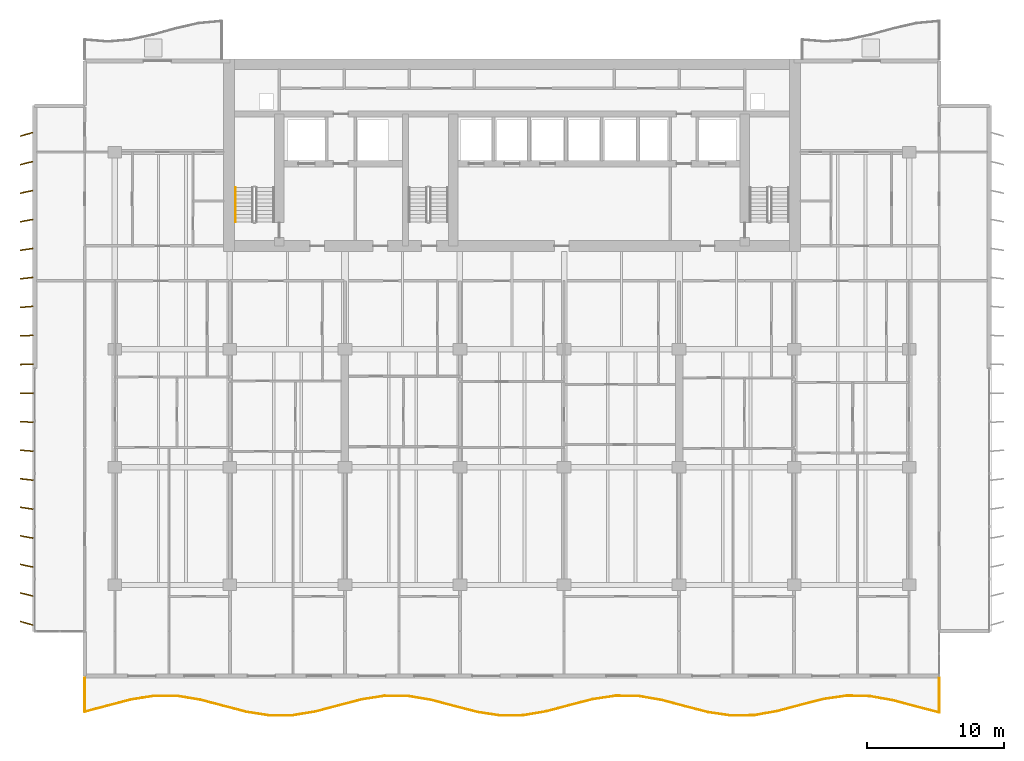
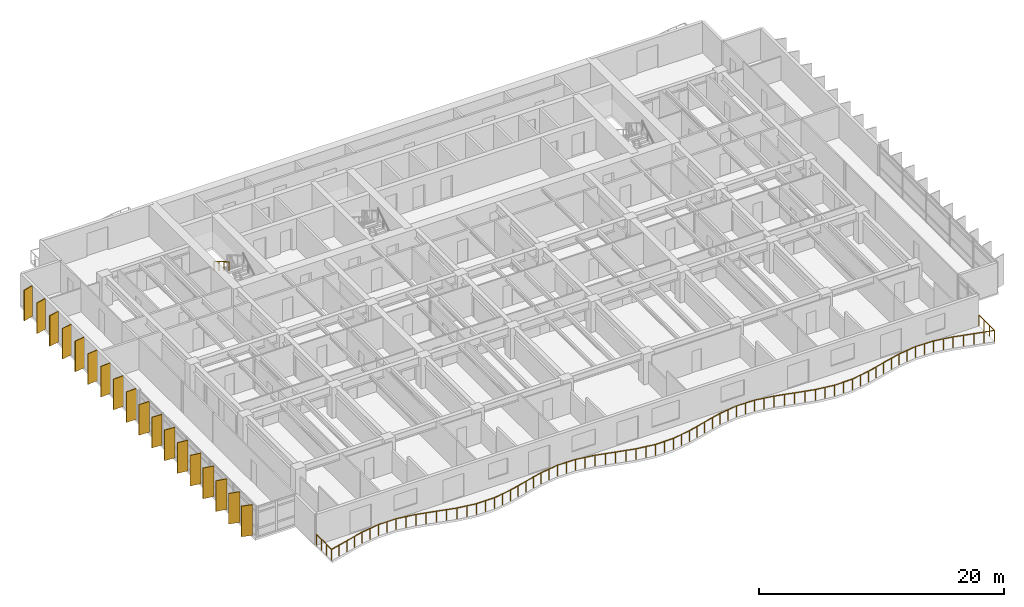
# One storey, part 14 of 17: 18 shading devices, 2 railings.
"""IFC4 building model written with IfcOpenShell, lengths in metres."""

from ifc_helpers import new_model, si_unit, direction, frame, origin, origin_2d, place, context, subcontext, project, spatial, rectangle, circle, extrude, material, material_profile, profile_set, type_object, element, save


model = new_model("IFC4")

# Units and contexts
model_context = context("Model", 3, precision=1e-05, world=origin(), true_north=direction((0.0, 1.0)))
body_context = subcontext(model_context, "Body", "Model", "MODEL_VIEW")
ifc_project = project(units=[si_unit("LENGTHUNIT", "METRE"), si_unit("AREAUNIT", "SQUARE_METRE"), si_unit("VOLUMEUNIT", "CUBIC_METRE"), si_unit("PLANEANGLEUNIT", "RADIAN"), si_unit("MASSUNIT", "GRAM", prefix="KILO")], contexts=[model_context])

# Site, building, storey
site_placement = place(None, origin())
site = spatial("IfcSite", under=ifc_project, at=site_placement, CompositionType="ELEMENT")
building_placement = place(site_placement, origin())
building = spatial("IfcBuilding", under=site, at=building_placement, Name="Caelmar Bay Residences", CompositionType="ELEMENT")
storey_placement = place(building_placement, frame((0.0, 0.0, 87.89990234375)))
storey = spatial("IfcBuildingStorey", under=building, at=storey_placement, Name="L23", CompositionType="ELEMENT", Elevation=87.89990234375)

# Railings
ifc_material_1 = material(Name="Anodised bronze handrail with laminated hurricane glass infill", Category="glass")
railing_type_1 = type_object("IfcRailingType", Name="RL-BAL-1100", PredefinedType="BALUSTRADE", material=ifc_material_1)
railing_1_placement = place(storey_placement, frame((7.699951171875, 5.39990234375, 0.0)))
element("IfcRailing", 1, at=railing_1_placement, inside=storey, type_object=railing_type_1, Name="L23 south Balcony Balustrade", PredefinedType="BALUSTRADE", context=body_context, shape_type="SweptSolid", body=[
    extrude(circle(Radius=0.02392578125, at=origin_2d()), frame((0.0, 0.0, 1.076171875), z_axis=(0.0, -1.0, 0.0), x_axis=(1.0, 0.0, 0.0)), (0.0, 0.0, 1.0), 2.460693359375),
    extrude(circle(Radius=0.02392578125, at=origin_2d()), frame((0.0, -2.460693359375, 1.076171875), z_axis=(0.967242999152, 0.253852281045, 0.0), x_axis=(-0.253852281045, 0.967242999152, 0.0)), (0.0, 0.0, 1.0), 1.74365234375),
    extrude(circle(Radius=0.02392578125, at=origin_2d()), frame((1.6865234375, -2.01806640625, 1.076171875), z_axis=(0.967346068881, 0.25345923345, 0.0), x_axis=(-0.25345923345, 0.967346068881, 0.0)), (0.0, 0.0, 1.0), 1.743408203125),
    extrude(circle(Radius=0.02392578125, at=origin_2d()), frame((3.373046875, -1.576171875, 1.076171875), z_axis=(0.987312771939, 0.15878756364, 0.0), x_axis=(-0.15878756364, 0.987312771939, 0.0)), (0.0, 0.0, 1.0), 1.708251953125),
    extrude(circle(Radius=0.02392578125, at=origin_2d()), frame((5.0595703125, -1.304931640625, 1.076171875), z_axis=(0.999997316947, -0.002316484302, 0.0), x_axis=(0.002316484302, 0.999997316947, 0.0)), (0.0, 0.0, 1.0), 1.686279296875),
    extrude(circle(Radius=0.02392578125, at=origin_2d()), frame((6.745849609375, -1.308837890625, 1.076171875), z_axis=(0.986723913917, -0.162406643041, 0.0), x_axis=(0.162406643041, 0.986723913917, 0.0)), (0.0, 0.0, 1.0), 1.709228515625),
    extrude(circle(Radius=0.02392578125, at=origin_2d()), frame((8.432373046875, -1.58642578125, 1.076171875), z_axis=(0.967001967981, -0.254768902971, 0.0), x_axis=(0.254768902971, 0.967001967981, 0.0)), (0.0, 0.0, 1.0), 1.744140625),
    extrude(circle(Radius=0.02392578125, at=origin_2d()), frame((10.118896484375, -2.03076171875, 1.076171875), z_axis=(0.967586028705, -0.252541634301, 0.0), x_axis=(0.252541634301, 0.967586028705, 0.0)), (0.0, 0.0, 1.0), 1.742919921875),
    extrude(circle(Radius=0.02392578125, at=origin_2d()), frame((11.805419921875, -2.470947265625, 1.076171875), z_axis=(0.98773512565, -0.156138789405, 0.0), x_axis=(0.156138789405, 0.98773512565, 0.0)), (0.0, 0.0, 1.0), 1.70751953125),
    extrude(circle(Radius=0.02392578125, at=origin_2d()), frame((13.491943359375, -2.737548828125, 1.076171875), z_axis=(0.999984063822, 0.005645538287, 0.0), x_axis=(-0.005645538287, 0.999984063822, 0.0)), (0.0, 0.0, 1.0), 1.6865234375),
    extrude(circle(Radius=0.02392578125, at=origin_2d()), frame((15.178466796875, -2.72802734375, 1.076171875), z_axis=(0.986285665301, 0.165047224825, 0.0), x_axis=(-0.165047224825, 0.986285665301, 0.0)), (0.0, 0.0, 1.0), 1.7099609375),
    extrude(circle(Radius=0.02392578125, at=origin_2d()), frame((16.864990234375, -2.44580078125, 1.076171875), z_axis=(0.966794774667, 0.255554032794, 0.0), x_axis=(-0.255554032794, 0.966794774667, 0.0)), (0.0, 0.0, 1.0), 1.744384765625),
    extrude(circle(Radius=0.02392578125, at=origin_2d()), frame((18.551513671875, -2.0, 1.076171875), z_axis=(0.967816364062, 0.251657476452, 0.0), x_axis=(-0.251657476452, 0.967816364062, 0.0)), (0.0, 0.0, 1.0), 1.742431640625),
    extrude(circle(Radius=0.02392578125, at=origin_2d()), frame((20.23779296875, -1.5615234375, 1.076171875), z_axis=(0.988172408476, 0.153346963215, 0.0), x_axis=(-0.153346963215, 0.988172408476, 0.0)), (0.0, 0.0, 1.0), 1.706787109375),
    extrude(circle(Radius=0.02392578125, at=origin_2d()), frame((21.92431640625, -1.2998046875, 1.076171875), z_axis=(0.999959726211, -0.00897473987, 0.0), x_axis=(0.00897473987, 0.999959726211, 0.0)), (0.0, 0.0, 1.0), 1.6865234375),
    extrude(circle(Radius=0.02392578125, at=origin_2d()), frame((23.61083984375, -1.31494140625, 1.076171875), z_axis=(0.98588789795, -0.167406847756, 0.0), x_axis=(0.167406847756, 0.98588789795, 0.0)), (0.0, 0.0, 1.0), 1.710693359375),
    extrude(circle(Radius=0.02392578125, at=origin_2d()), frame((25.29736328125, -1.601318359375, 1.076171875), z_axis=(0.966517664442, -0.256600086362, 0.0), x_axis=(0.256600086362, 0.966517664442, 0.0)), (0.0, 0.0, 1.0), 1.744873046875),
    extrude(circle(Radius=0.02392578125, at=origin_2d()), frame((26.98388671875, -2.049072265625, 1.076171875), z_axis=(0.968131680755, -0.250441707225, 0.0), x_axis=(0.250441707225, 0.968131680755, 0.0)), (0.0, 0.0, 1.0), 1.741943359375),
    extrude(circle(Radius=0.02392578125, at=origin_2d()), frame((28.67041015625, -2.4853515625, 1.076171875), z_axis=(0.988559536342, -0.15083117419, 0.0), x_axis=(0.15083117419, 0.988559536342, 0.0)), (0.0, 0.0, 1.0), 1.7060546875),
    extrude(circle(Radius=0.02392578125, at=origin_2d()), frame((30.35693359375, -2.74267578125, 1.076171875), z_axis=(0.999924285403, 0.0123054241, 0.0), x_axis=(-0.0123054241, 0.999924285403, 0.0)), (0.0, 0.0, 1.0), 1.6865234375),
    extrude(circle(Radius=0.02392578125, at=origin_2d()), frame((32.043212890625, -2.721923828125, 1.076171875), z_axis=(0.985437045212, 0.17004067138, 0.0), x_axis=(-0.17004067138, 0.985437045212, 0.0)), (0.0, 0.0, 1.0), 1.71142578125),
    extrude(circle(Radius=0.02392578125, at=origin_2d()), frame((33.729736328125, -2.430908203125, 1.076171875), z_axis=(0.966309193943, 0.257384035445, 0.0), x_axis=(-0.257384035445, 0.966309193943, 0.0)), (0.0, 0.0, 1.0), 1.745361328125),
    extrude(circle(Radius=0.02392578125, at=origin_2d()), frame((35.416259765625, -1.981689453125, 1.076171875), z_axis=(0.968403026193, 0.249390414533, 0.0), x_axis=(-0.249390414533, 0.968403026193, 0.0)), (0.0, 0.0, 1.0), 1.741455078125),
    extrude(circle(Radius=0.02392578125, at=origin_2d()), frame((37.102783203125, -1.54736328125, 1.076171875), z_axis=(0.988982509676, 0.148032413869, 0.0), x_axis=(-0.148032413869, 0.988982509676, 0.0)), (0.0, 0.0, 1.0), 1.705322265625),
    extrude(circle(Radius=0.02392578125, at=origin_2d()), frame((38.789306640625, -1.294921875, 1.076171875), z_axis=(0.999877810679, -0.015632137168, 0.0), x_axis=(0.015632137168, 0.999877810679, 0.0)), (0.0, 0.0, 1.0), 1.686767578125),
    extrude(circle(Radius=0.02392578125, at=origin_2d()), frame((40.475830078125, -1.3212890625, 1.076171875), z_axis=(0.985003822672, -0.17253251671, 0.0), x_axis=(0.17253251671, 0.985003822672, 0.0)), (0.0, 0.0, 1.0), 1.712158203125),
    extrude(circle(Radius=0.02392578125, at=origin_2d()), frame((42.162353515625, -1.61669921875, 1.076171875), z_axis=(0.966125737824, -0.25807180922, 0.0), x_axis=(0.25807180922, 0.966125737824, 0.0)), (0.0, 0.0, 1.0), 1.745361328125),
    extrude(circle(Radius=0.02392578125, at=origin_2d()), frame((43.8486328125, -2.067138671875, 1.076171875), z_axis=(0.968673380901, -0.248338239371, 0.0), x_axis=(0.248338239371, 0.968673380901, 0.0)), (0.0, 0.0, 1.0), 1.740966796875),
    extrude(circle(Radius=0.02392578125, at=origin_2d()), frame((45.53515625, -2.49951171875, 1.076171875), z_axis=(0.989377318398, -0.14537029215, 0.0), x_axis=(0.14537029215, 0.989377318398, 0.0)), (0.0, 0.0, 1.0), 1.70458984375),
    extrude(circle(Radius=0.02392578125, at=origin_2d()), frame((47.2216796875, -2.747314453125, 1.076171875), z_axis=(0.999817486792, 0.019104792741, 0.0), x_axis=(-0.019104792741, 0.999817486792, 0.0)), (0.0, 0.0, 1.0), 1.686767578125),
    extrude(circle(Radius=0.02392578125, at=origin_2d()), frame((48.908203125, -2.715087890625, 1.076171875), z_axis=(0.984589241771, 0.174882889353, 0.0), x_axis=(-0.174882889353, 0.984589241771, 0.0)), (0.0, 0.0, 1.0), 1.712890625),
    extrude(circle(Radius=0.02392578125, at=origin_2d()), frame((50.5947265625, -2.41552734375, 1.076171875), z_axis=(0.965925582336, 0.258819955545, 0.0), x_axis=(-0.258819955545, 0.965925582336, 0.0)), (0.0, 0.0, 1.0), 1.74609375),
    extrude(circle(Radius=0.02392578125, at=origin_2d()), frame((52.28125, -1.963623046875, 1.076171875), z_axis=(0.968934163257, 0.247318796847, 0.0), x_axis=(-0.247318796847, 0.968934163257, 0.0)), (0.0, 0.0, 1.0), 1.740234375),
    extrude(circle(Radius=0.02392578125, at=origin_2d()), frame((53.967529296875, -1.533203125, 1.076171875), z_axis=(0.989785492966, 0.142564644687, 0.0), x_axis=(-0.142564644687, 0.989785492966, 0.0)), (0.0, 0.0, 1.0), 1.703857421875),
    extrude(circle(Radius=0.02392578125, at=origin_2d()), frame((55.654052734375, -1.290283203125, 1.076171875), z_axis=(0.999748368622, -0.022432107287, 0.0), x_axis=(0.022432107287, 0.999748368622, 0.0)), (0.0, 0.0, 1.0), 1.68701171875),
    extrude(circle(Radius=0.02392578125, at=origin_2d()), frame((57.340576171875, -1.328125, 1.076171875), z_axis=(0.984144551862, -0.177368263907, 0.0), x_axis=(0.177368263907, 0.984144551862, 0.0)), (0.0, 0.0, 1.0), 1.713623046875),
    extrude(circle(Radius=0.02392578125, at=origin_2d()), frame((59.027099609375, -1.632080078125, 1.076171875), z_axis=(0.965750609382, -0.259472080344, 0.0), x_axis=(0.259472080344, 0.965750609382, 0.0)), (0.0, 0.0, 1.0), 1.746337890625),
    extrude(circle(Radius=0.02392578125, at=origin_2d()), frame((60.713623046875, -2.085205078125, 1.076171875), z_axis=(0.969244582602, -0.246099449607, 0.0), x_axis=(0.246099449607, 0.969244582602, 0.0)), (0.0, 0.0, 1.0), 1.739990234375),
    extrude(circle(Radius=0.02392578125, at=origin_2d()), frame((62.400146484375, -2.513427734375, 1.076171875), z_axis=(0.0, 1.0, 0.0), x_axis=(-1.0, 0.0, 0.0)), (0.0, 0.0, 1.0), 2.513427734375),
    extrude(circle(Radius=0.02099609375, at=origin_2d()), origin(), (0.0, 0.0, 1.0), 1.052001953125),
    extrude(circle(Radius=0.02099609375, at=origin_2d()), frame((0.0, -0.8203125, 0.0)), (0.0, 0.0, 1.0), 1.052001953125),
    extrude(circle(Radius=0.02099609375, at=origin_2d()), frame((0.0, -1.640380859375, 0.0)), (0.0, 0.0, 1.0), 1.052001953125),
    extrude(circle(Radius=0.02099609375, at=origin_2d()), frame((0.0, -2.460693359375, 0.0)), (0.0, 0.0, 1.0), 1.052001953125),
    extrude(circle(Radius=0.02099609375, at=origin_2d()), frame((0.84326171875, -2.2392578125, 0.0)), (0.0, 0.0, 1.0), 1.052001953125),
    extrude(circle(Radius=0.02099609375, at=origin_2d()), frame((1.6865234375, -2.01806640625, 0.0)), (0.0, 0.0, 1.0), 1.052001953125),
    extrude(circle(Radius=0.02099609375, at=origin_2d()), frame((2.52978515625, -1.797119140625, 0.0)), (0.0, 0.0, 1.0), 1.052001953125),
    extrude(circle(Radius=0.02099609375, at=origin_2d()), frame((3.373046875, -1.576171875, 0.0)), (0.0, 0.0, 1.0), 1.052001953125),
    extrude(circle(Radius=0.02099609375, at=origin_2d()), frame((4.21630859375, -1.4404296875, 0.0)), (0.0, 0.0, 1.0), 1.052001953125),
    extrude(circle(Radius=0.02099609375, at=origin_2d()), frame((5.0595703125, -1.304931640625, 0.0)), (0.0, 0.0, 1.0), 1.052001953125),
    extrude(circle(Radius=0.02099609375, at=origin_2d()), frame((5.90283203125, -1.306884765625, 0.0)), (0.0, 0.0, 1.0), 1.052001953125),
    extrude(circle(Radius=0.02099609375, at=origin_2d()), frame((6.745849609375, -1.308837890625, 0.0)), (0.0, 0.0, 1.0), 1.052001953125),
    extrude(circle(Radius=0.02099609375, at=origin_2d()), frame((7.589111328125, -1.44775390625, 0.0)), (0.0, 0.0, 1.0), 1.052001953125),
    extrude(circle(Radius=0.02099609375, at=origin_2d()), frame((8.432373046875, -1.58642578125, 0.0)), (0.0, 0.0, 1.0), 1.052001953125),
    extrude(circle(Radius=0.02099609375, at=origin_2d()), frame((9.275634765625, -1.80859375, 0.0)), (0.0, 0.0, 1.0), 1.052001953125),
    extrude(circle(Radius=0.02099609375, at=origin_2d()), frame((10.118896484375, -2.03076171875, 0.0)), (0.0, 0.0, 1.0), 1.052001953125),
    extrude(circle(Radius=0.02099609375, at=origin_2d()), frame((10.962158203125, -2.2509765625, 0.0)), (0.0, 0.0, 1.0), 1.052001953125),
    extrude(circle(Radius=0.02099609375, at=origin_2d()), frame((11.805419921875, -2.470947265625, 0.0)), (0.0, 0.0, 1.0), 1.052001953125),
    extrude(circle(Radius=0.02099609375, at=origin_2d()), frame((12.648681640625, -2.604248046875, 0.0)), (0.0, 0.0, 1.0), 1.052001953125),
    extrude(circle(Radius=0.02099609375, at=origin_2d()), frame((13.491943359375, -2.737548828125, 0.0)), (0.0, 0.0, 1.0), 1.052001953125),
    extrude(circle(Radius=0.02099609375, at=origin_2d()), frame((14.335205078125, -2.73291015625, 0.0)), (0.0, 0.0, 1.0), 1.052001953125),
    extrude(circle(Radius=0.02099609375, at=origin_2d()), frame((15.178466796875, -2.72802734375, 0.0)), (0.0, 0.0, 1.0), 1.052001953125),
    extrude(circle(Radius=0.02099609375, at=origin_2d()), frame((16.021728515625, -2.5869140625, 0.0)), (0.0, 0.0, 1.0), 1.052001953125),
    extrude(circle(Radius=0.02099609375, at=origin_2d()), frame((16.864990234375, -2.44580078125, 0.0)), (0.0, 0.0, 1.0), 1.052001953125),
    extrude(circle(Radius=0.02099609375, at=origin_2d()), frame((17.708251953125, -2.222900390625, 0.0)), (0.0, 0.0, 1.0), 1.052001953125),
    extrude(circle(Radius=0.02099609375, at=origin_2d()), frame((18.551513671875, -2.0, 0.0)), (0.0, 0.0, 1.0), 1.052001953125),
    extrude(circle(Radius=0.02099609375, at=origin_2d()), frame((19.39453125, -1.78076171875, 0.0)), (0.0, 0.0, 1.0), 1.052001953125),
    extrude(circle(Radius=0.02099609375, at=origin_2d()), frame((20.23779296875, -1.5615234375, 0.0)), (0.0, 0.0, 1.0), 1.052001953125),
    extrude(circle(Radius=0.02099609375, at=origin_2d()), frame((21.0810546875, -1.4306640625, 0.0)), (0.0, 0.0, 1.0), 1.052001953125),
    extrude(circle(Radius=0.02099609375, at=origin_2d()), frame((21.92431640625, -1.2998046875, 0.0)), (0.0, 0.0, 1.0), 1.052001953125),
    extrude(circle(Radius=0.02099609375, at=origin_2d()), frame((22.767578125, -1.307373046875, 0.0)), (0.0, 0.0, 1.0), 1.052001953125),
    extrude(circle(Radius=0.02099609375, at=origin_2d()), frame((23.61083984375, -1.31494140625, 0.0)), (0.0, 0.0, 1.0), 1.052001953125),
    extrude(circle(Radius=0.02099609375, at=origin_2d()), frame((24.4541015625, -1.4580078125, 0.0)), (0.0, 0.0, 1.0), 1.052001953125),
    extrude(circle(Radius=0.02099609375, at=origin_2d()), frame((25.29736328125, -1.601318359375, 0.0)), (0.0, 0.0, 1.0), 1.052001953125),
    extrude(circle(Radius=0.02099609375, at=origin_2d()), frame((26.140625, -1.8251953125, 0.0)), (0.0, 0.0, 1.0), 1.052001953125),
    extrude(circle(Radius=0.02099609375, at=origin_2d()), frame((26.98388671875, -2.049072265625, 0.0)), (0.0, 0.0, 1.0), 1.052001953125),
    extrude(circle(Radius=0.02099609375, at=origin_2d()), frame((27.8271484375, -2.26708984375, 0.0)), (0.0, 0.0, 1.0), 1.052001953125),
    extrude(circle(Radius=0.02099609375, at=origin_2d()), frame((28.67041015625, -2.4853515625, 0.0)), (0.0, 0.0, 1.0), 1.052001953125),
    extrude(circle(Radius=0.02099609375, at=origin_2d()), frame((29.513671875, -2.614013671875, 0.0)), (0.0, 0.0, 1.0), 1.052001953125),
    extrude(circle(Radius=0.02099609375, at=origin_2d()), frame((30.35693359375, -2.74267578125, 0.0)), (0.0, 0.0, 1.0), 1.052001953125),
    extrude(circle(Radius=0.02099609375, at=origin_2d()), frame((31.2001953125, -2.732421875, 0.0)), (0.0, 0.0, 1.0), 1.052001953125),
    extrude(circle(Radius=0.02099609375, at=origin_2d()), frame((32.043212890625, -2.721923828125, 0.0)), (0.0, 0.0, 1.0), 1.052001953125),
    extrude(circle(Radius=0.02099609375, at=origin_2d()), frame((32.886474609375, -2.576416015625, 0.0)), (0.0, 0.0, 1.0), 1.052001953125),
    extrude(circle(Radius=0.02099609375, at=origin_2d()), frame((33.729736328125, -2.430908203125, 0.0)), (0.0, 0.0, 1.0), 1.052001953125),
    extrude(circle(Radius=0.02099609375, at=origin_2d()), frame((34.572998046875, -2.206298828125, 0.0)), (0.0, 0.0, 1.0), 1.052001953125),
    extrude(circle(Radius=0.02099609375, at=origin_2d()), frame((35.416259765625, -1.981689453125, 0.0)), (0.0, 0.0, 1.0), 1.052001953125),
    extrude(circle(Radius=0.02099609375, at=origin_2d()), frame((36.259521484375, -1.7646484375, 0.0)), (0.0, 0.0, 1.0), 1.052001953125),
    extrude(circle(Radius=0.02099609375, at=origin_2d()), frame((37.102783203125, -1.54736328125, 0.0)), (0.0, 0.0, 1.0), 1.052001953125),
    extrude(circle(Radius=0.02099609375, at=origin_2d()), frame((37.946044921875, -1.421142578125, 0.0)), (0.0, 0.0, 1.0), 1.052001953125),
    extrude(circle(Radius=0.02099609375, at=origin_2d()), frame((38.789306640625, -1.294921875, 0.0)), (0.0, 0.0, 1.0), 1.052001953125),
    extrude(circle(Radius=0.02099609375, at=origin_2d()), frame((39.632568359375, -1.30810546875, 0.0)), (0.0, 0.0, 1.0), 1.052001953125),
    extrude(circle(Radius=0.02099609375, at=origin_2d()), frame((40.475830078125, -1.3212890625, 0.0)), (0.0, 0.0, 1.0), 1.052001953125),
    extrude(circle(Radius=0.02099609375, at=origin_2d()), frame((41.319091796875, -1.468994140625, 0.0)), (0.0, 0.0, 1.0), 1.052001953125),
    extrude(circle(Radius=0.02099609375, at=origin_2d()), frame((42.162353515625, -1.61669921875, 0.0)), (0.0, 0.0, 1.0), 1.052001953125),
    extrude(circle(Radius=0.02099609375, at=origin_2d()), frame((43.00537109375, -1.841796875, 0.0)), (0.0, 0.0, 1.0), 1.052001953125),
    extrude(circle(Radius=0.02099609375, at=origin_2d()), frame((43.8486328125, -2.067138671875, 0.0)), (0.0, 0.0, 1.0), 1.052001953125),
    extrude(circle(Radius=0.02099609375, at=origin_2d()), frame((44.69189453125, -2.283203125, 0.0)), (0.0, 0.0, 1.0), 1.052001953125),
    extrude(circle(Radius=0.02099609375, at=origin_2d()), frame((45.53515625, -2.49951171875, 0.0)), (0.0, 0.0, 1.0), 1.052001953125),
    extrude(circle(Radius=0.02099609375, at=origin_2d()), frame((46.37841796875, -2.62353515625, 0.0)), (0.0, 0.0, 1.0), 1.052001953125),
    extrude(circle(Radius=0.02099609375, at=origin_2d()), frame((47.2216796875, -2.747314453125, 0.0)), (0.0, 0.0, 1.0), 1.052001953125),
    extrude(circle(Radius=0.02099609375, at=origin_2d()), frame((48.06494140625, -2.731201171875, 0.0)), (0.0, 0.0, 1.0), 1.052001953125),
    extrude(circle(Radius=0.02099609375, at=origin_2d()), frame((48.908203125, -2.715087890625, 0.0)), (0.0, 0.0, 1.0), 1.052001953125),
    extrude(circle(Radius=0.02099609375, at=origin_2d()), frame((49.75146484375, -2.5654296875, 0.0)), (0.0, 0.0, 1.0), 1.052001953125),
    extrude(circle(Radius=0.02099609375, at=origin_2d()), frame((50.5947265625, -2.41552734375, 0.0)), (0.0, 0.0, 1.0), 1.052001953125),
    extrude(circle(Radius=0.02099609375, at=origin_2d()), frame((51.43798828125, -2.189453125, 0.0)), (0.0, 0.0, 1.0), 1.052001953125),
    extrude(circle(Radius=0.02099609375, at=origin_2d()), frame((52.28125, -1.963623046875, 0.0)), (0.0, 0.0, 1.0), 1.052001953125),
    extrude(circle(Radius=0.02099609375, at=origin_2d()), frame((53.12451171875, -1.74853515625, 0.0)), (0.0, 0.0, 1.0), 1.052001953125),
    extrude(circle(Radius=0.02099609375, at=origin_2d()), frame((53.967529296875, -1.533203125, 0.0)), (0.0, 0.0, 1.0), 1.052001953125),
    extrude(circle(Radius=0.02099609375, at=origin_2d()), frame((54.810791015625, -1.41162109375, 0.0)), (0.0, 0.0, 1.0), 1.052001953125),
    extrude(circle(Radius=0.02099609375, at=origin_2d()), frame((55.654052734375, -1.290283203125, 0.0)), (0.0, 0.0, 1.0), 1.052001953125),
    extrude(circle(Radius=0.02099609375, at=origin_2d()), frame((56.497314453125, -1.30908203125, 0.0)), (0.0, 0.0, 1.0), 1.052001953125),
    extrude(circle(Radius=0.02099609375, at=origin_2d()), frame((57.340576171875, -1.328125, 0.0)), (0.0, 0.0, 1.0), 1.052001953125),
    extrude(circle(Radius=0.02099609375, at=origin_2d()), frame((58.183837890625, -1.47998046875, 0.0)), (0.0, 0.0, 1.0), 1.052001953125),
    extrude(circle(Radius=0.02099609375, at=origin_2d()), frame((59.027099609375, -1.632080078125, 0.0)), (0.0, 0.0, 1.0), 1.052001953125),
    extrude(circle(Radius=0.02099609375, at=origin_2d()), frame((59.870361328125, -1.858642578125, 0.0)), (0.0, 0.0, 1.0), 1.052001953125),
    extrude(circle(Radius=0.02099609375, at=origin_2d()), frame((60.713623046875, -2.085205078125, 0.0)), (0.0, 0.0, 1.0), 1.052001953125),
    extrude(circle(Radius=0.02099609375, at=origin_2d()), frame((61.556884765625, -2.29931640625, 0.0)), (0.0, 0.0, 1.0), 1.052001953125),
    extrude(circle(Radius=0.02099609375, at=origin_2d()), frame((62.400146484375, -2.513427734375, 0.0)), (0.0, 0.0, 1.0), 1.052001953125),
    extrude(circle(Radius=0.02099609375, at=origin_2d()), frame((62.400146484375, -1.675537109375, 0.0)), (0.0, 0.0, 1.0), 1.052001953125),
    extrude(circle(Radius=0.02099609375, at=origin_2d()), frame((62.400146484375, -0.837890625, 0.0)), (0.0, 0.0, 1.0), 1.052001953125),
    extrude(circle(Radius=0.02099609375, at=origin_2d()), frame((62.400146484375, 0.0, 0.0)), (0.0, 0.0, 1.0), 1.052001953125),
])
ifc_material_2 = material(Name="Brushed bronze stainless-steel tubular handrail 900 mm", Category="steel")
railing_type_2 = type_object("IfcRailingType", Name="RL-HND-900", PredefinedType="HANDRAIL", material=ifc_material_2)
railing_2_placement = place(storey_placement, frame((18.699951171875, 41.219970703125, 1.815185546875)))
element("IfcRailing", 2, at=railing_2_placement, inside=storey, type_object=railing_type_2, Name="L23 ST1 stair handrail 2", PredefinedType="HANDRAIL", context=body_context, shape_type="SweptSolid", body=[
    extrude(circle(Radius=0.02392578125, at=origin_2d()), frame((0.0, 0.0, 0.8759765625), z_axis=(0.0, -0.861560626758, 0.507654692109), x_axis=(1.0, 0.0, 0.0)), (0.0, 0.0, 1.0), 2.925048828125),
    extrude(circle(Radius=0.02099609375, at=origin_2d()), origin(), (0.0, 0.0, 1.0), 0.851806640625),
    extrude(circle(Radius=0.02099609375, at=origin_2d()), frame((0.0, -0.840087890625, 0.494873046875)), (0.0, 0.0, 1.0), 0.851806640625),
    extrude(circle(Radius=0.02099609375, at=origin_2d()), frame((0.0, -1.679931640625, 0.989990234375)), (0.0, 0.0, 1.0), 0.851806640625),
    extrude(circle(Radius=0.02099609375, at=origin_2d()), frame((0.0, -2.52001953125, 1.48486328125)), (0.0, 0.0, 1.0), 0.851806640625),
])

# Shading devices
ifc_material_3 = material(Name="Anodised architectural bronze aluminium 6063-T6", Category="aluminium")
ifc_material_profile = material_profile(ifc_material_3, rectangle(XDim=0.074951171875, YDim=0.949951171875, at=origin_2d()), Name="BRONZE-FIN-75X950")
ifc_profile_set = profile_set([ifc_material_profile], Name="Anodised architectural bronze aluminium 6063-T6")
shading_device_type = type_object("IfcShadingDeviceType", Name="SHD-FIN-950", PredefinedType="USERDEFINED", material=ifc_profile_set)
for number, where, z_axis, x_axis, name in (
    (3, (3.449951171875, 9.39990234375, 0.0), (0.0, 0.0, 1.0), (0.275637355817, 0.961261695938, 0.0), "L23 West Bronze Solar Fin 1"),
    (4, (3.449951171875, 11.5, 0.0), (0.0, 0.0, 1.0), (0.243953546137, 0.969786918517, 0.0), "L23 West Bronze Solar Fin 2"),
    (5, (3.449951171875, 13.60009765625, 0.0), (0.0, 0.0, 1.0), (0.212007109922, 0.977268123568, 0.0), "L23 West Bronze Solar Fin 3"),
    (6, (3.449951171875, 15.699951171875, 0.0), (0.0, 0.0, 1.0), (0.179660748593, 0.98372862895, 0.0), "L23 West Bronze Solar Fin 4"),
    (7, (3.449951171875, 17.800048828125, 0.0), (0.0, 0.0, 1.0), (0.147291543397, 0.989093120613, 0.0), "L23 West Bronze Solar Fin 5"),
    (8, (3.449951171875, 19.89990234375, 0.0), (0.0, 0.0, 1.0), (0.114763772489, 0.993392810787, 0.0), "L23 West Bronze Solar Fin 6"),
    (9, (3.449951171875, 22.0, 0.0), (0.0, 0.0, 1.0), (0.08211245342, 0.996623070671, 0.0), "L23 West Bronze Solar Fin 7"),
    (10, (3.449951171875, 24.10009765625, 0.0), (0.0, 0.0, 1.0), (0.049198415926, 0.998789024705, 0.0), "L23 West Bronze Solar Fin 8"),
    (11, (3.449951171875, 26.199951171875, 0.0), (0.0, 0.0, 1.0), (0.016405359001, 0.999865423043, 0.0), "L23 West Bronze Solar Fin 9"),
    (12, (3.449951171875, 28.300048828125, 0.0), (0.0, 0.0, 1.0), (-0.016405359001, 0.999865423043, 0.0), "L23 West Bronze Solar Fin 10"),
    (13, (3.449951171875, 30.39990234375, 0.0), (0.0, 0.0, 1.0), (-0.049198415926, 0.998789024705, 0.0), "L23 West Bronze Solar Fin 11"),
    (14, (3.449951171875, 32.5, 0.0), (0.0, 0.0, 1.0), (-0.08211245342, 0.996623070671, 0.0), "L23 West Bronze Solar Fin 12"),
    (15, (3.449951171875, 34.60009765625, 0.0), (0.0, 0.0, 1.0), (-0.114763772489, 0.993392810787, 0.0), "L23 West Bronze Solar Fin 13"),
    (16, (3.449951171875, 36.699951171875, 0.0), (0.0, 0.0, 1.0), (-0.147291543397, 0.989093120613, 0.0), "L23 West Bronze Solar Fin 14"),
    (17, (3.449951171875, 38.800048828125, 0.0), (0.0, 0.0, 1.0), (-0.179660748593, 0.98372862895, 0.0), "L23 West Bronze Solar Fin 15"),
    (18, (3.449951171875, 40.89990234375, 0.0), (0.0, 0.0, 1.0), (-0.212007109922, 0.977268123568, 0.0), "L23 West Bronze Solar Fin 16"),
    (19, (3.449951171875, 43.0, 0.0), (0.0, 0.0, 1.0), (-0.243953546137, 0.969786918517, 0.0), "L23 West Bronze Solar Fin 17"),
    (20, (3.449951171875, 45.10009765625, 0.0), (0.0, 0.0, 1.0), (-0.275637355817, 0.961261695938, 0.0), "L23 West Bronze Solar Fin 18"),
):
    element("IfcShadingDevice", number, at=place(storey_placement, frame(where, z_axis=z_axis, x_axis=x_axis)), inside=storey, type_object=shading_device_type, Name=name, ObjectType="FIN", PredefinedType="USERDEFINED", context=body_context, shape_type="SweptSolid", body=[
        extrude(rectangle(XDim=0.074951171875, YDim=0.949951171875, at=origin_2d()), origin(), (0.0, 0.0, 1.0), 3.050048828125),
    ])

save(model, "model.ifc")
